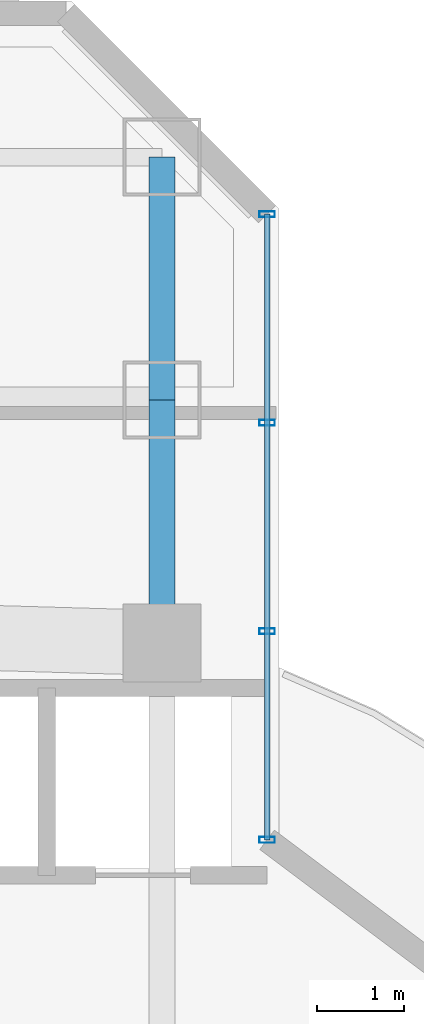
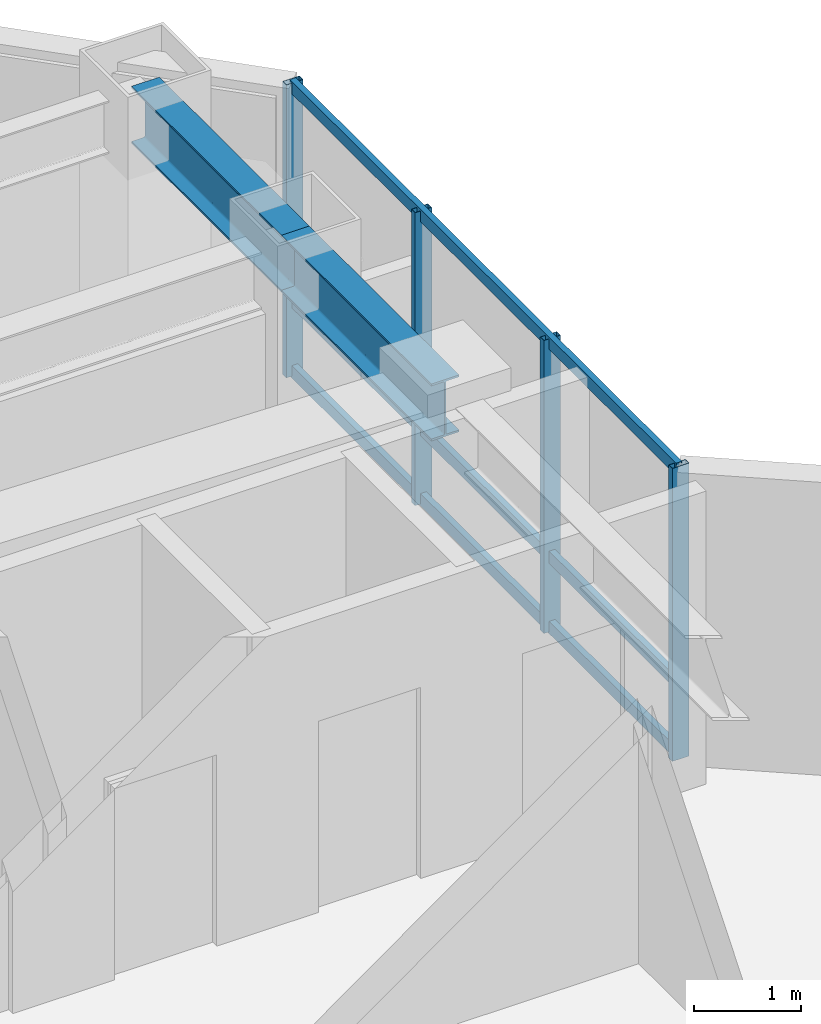
# One storey, part 19 of 29: 7 members, 2 beams, 1 element without a shape of its own.
"""IFC4 building model written with IfcOpenShell, lengths in metres."""

import ifcopenshell
import ifcopenshell.guid

model = None  # the IFC model being written
_history = None  # IfcOwnerHistory: only IFC2X3 demands one
_inside = {}  # id of a spatial element -> (the spatial element, [elements in it])
_under = {}  # id of a project, library or spatial element -> (it, [spatial elements below it])
_declared = {}  # id of a project -> (the project, [libraries it declares])
_typed = {}  # id of a type object -> (the type object, [elements of that type])
_made_of = {}  # id of a material, layer set ... -> (it, [elements and type objects made of it])


def new_model(schema):
    """Start an empty IFC model of exactly this schema.

    Asked for "IFC4X3", IfcOpenShell would pick the latest addendum, in which some entities
    have other attributes; the version numbers below select the first issue.
    IFC2X3 requires an IfcOwnerHistory on every rooted entity: one is made here for all.
    """
    global model, _history
    if schema == "IFC4X3":
        model = ifcopenshell.file(schema_version=(4, 3, 0, 0))
    else:
        model = ifcopenshell.file(schema=schema)
    _inside.clear()
    _under.clear()
    _declared.clear()
    _typed.clear()
    _made_of.clear()
    _history = None
    if model.schema == "IFC2X3":
        org = make("IfcOrganization", Name="unknown")
        user = make(
            "IfcPersonAndOrganization",
            ThePerson=make("IfcPerson", FamilyName="unknown"),
            TheOrganization=org,
        )
        app = make(
            "IfcApplication",
            ApplicationDeveloper=org,
            Version="unknown",
            ApplicationFullName="unknown",
            ApplicationIdentifier="unknown",
        )
        _history = make(
            "IfcOwnerHistory",
            OwningUser=user,
            OwningApplication=app,
            ChangeAction="ADDED",
            CreationDate=0,
        )
    return model


def make(cls, **values):
    """One entity of the class cls with the attributes given. An attribute that is None is left unset."""
    return model.create_entity(
        cls, **{name: value for name, value in values.items() if value is not None}
    )


def rooted(cls, **values):
    """An entity with a GlobalId (a new one), such as an element, a storey or a relation."""
    return make(cls, GlobalId=ifcopenshell.guid.new(), OwnerHistory=_history, **values)


def si_unit(unit_type, name, prefix=None):
    """IfcSIUnit, for example si_unit("LENGTHUNIT", "METRE", prefix="MILLI")."""
    return make("IfcSIUnit", UnitType=unit_type, Prefix=prefix, Name=name)


def assignment(units):
    """IfcUnitAssignment: the units of a project."""
    return None if units is None else make("IfcUnitAssignment", Units=units)


def point(xyz):
    """IfcCartesianPoint."""
    return None if xyz is None else make("IfcCartesianPoint", Coordinates=xyz)


def direction(xyz):
    """IfcDirection."""
    return None if xyz is None else make("IfcDirection", DirectionRatios=xyz)


def frame(location, z_axis=None, x_axis=None):
    """IfcAxis2Placement3D, a coordinate frame: its origin and axes. An axis left out is left unset."""
    return make(
        "IfcAxis2Placement3D",
        Location=point(location),
        Axis=direction(z_axis),
        RefDirection=direction(x_axis),
    )


def frame_2d(location, x_axis=None):
    """IfcAxis2Placement2D, a coordinate frame in the plane: its origin and x axis."""
    return make(
        "IfcAxis2Placement2D", Location=point(location), RefDirection=direction(x_axis)
    )


def origin():
    """The frame at (0, 0, 0) with its axes left unset."""
    return frame((0.0, 0.0, 0.0))


def origin_2d():
    """The frame at (0, 0) in the plane with its x axis left unset."""
    return frame_2d((0.0, 0.0))


def place(relative_to, where):
    """IfcLocalPlacement: puts the frame where relative to a parent placement (None: the world)."""
    return make(
        "IfcLocalPlacement", PlacementRelTo=relative_to, RelativePlacement=where
    )


def context(
    kind, dimensions, precision=None, world=None, true_north=None, identifier=None
):
    """IfcGeometricRepresentationContext, for example the 3D "Model" context."""
    return make(
        "IfcGeometricRepresentationContext",
        ContextIdentifier=identifier,
        ContextType=kind,
        CoordinateSpaceDimension=dimensions,
        Precision=precision,
        WorldCoordinateSystem=world,
        TrueNorth=true_north,
    )


def subcontext(parent, identifier, kind, view, scale=None):
    """IfcGeometricRepresentationSubContext, for example "Body" below "Model"."""
    return make(
        "IfcGeometricRepresentationSubContext",
        ContextIdentifier=identifier,
        ContextType=kind,
        ParentContext=parent,
        TargetScale=scale,
        TargetView=view,
    )


def project(units=None, contexts=None):
    """IfcProject with its units and contexts."""
    return rooted(
        "IfcProject",
        Name="project",
        RepresentationContexts=contexts,
        UnitsInContext=assignment(units),
    )


def spatial(cls, under=None, at=None, **own):
    """A site, building, storey or space (cls), placed at a placement, below another one or the project."""
    s = rooted(cls, ObjectPlacement=at, **own)
    if under is not None:
        _under.setdefault(under.id(), (under, []))[1].append(s)
    return s


def profile(cls, at=None, kind="AREA", **sizes):
    """A parametric profile (cls). Its sizes go by their IFC names, for example OverallWidth=200.0."""
    return make(cls, ProfileType=kind, Position=at, **sizes)


def hollow_rectangle(**sizes):
    """IfcRectangleHollowProfileDef."""
    return profile("IfcRectangleHollowProfileDef", **sizes)


def i_section(**sizes):
    """IfcIShapeProfileDef."""
    return profile("IfcIShapeProfileDef", **sizes)


def extrude(swept, where, along, depth):
    """IfcExtrudedAreaSolid: the profile swept, set in the frame where, extruded along a direction by depth."""
    return make(
        "IfcExtrudedAreaSolid",
        SweptArea=swept,
        Position=where,
        ExtrudedDirection=direction(along),
        Depth=depth,
    )


def shape(context_of_items, identifier, shape_type, items):
    """IfcShapeRepresentation: the items that make up one representation, for example the "Body"."""
    return make(
        "IfcShapeRepresentation",
        ContextOfItems=context_of_items,
        RepresentationIdentifier=identifier,
        RepresentationType=shape_type,
        Items=items,
    )


def material(Name=None, Category=None):
    """IfcMaterial."""
    return make("IfcMaterial", Name=Name, Category=Category)


def layer(
    of_material, thickness, ventilated=None, Name=None, Category=None, Priority=None
):
    """IfcMaterialLayer: one layer of a wall or slab, of a material (None: an air gap)."""
    return make(
        "IfcMaterialLayer",
        Material=of_material,
        LayerThickness=thickness,
        IsVentilated=ventilated,
        Name=Name,
        Category=Category,
        Priority=Priority,
    )


def layer_set(layers, Name=None):
    """IfcMaterialLayerSet."""
    return make("IfcMaterialLayerSet", MaterialLayers=layers, LayerSetName=Name)


def material_profile(
    of_material, cross_section, Name=None, Category=None, Priority=None
):
    """IfcMaterialProfile: a cross section and its material."""
    return make(
        "IfcMaterialProfile",
        Name=Name,
        Material=of_material,
        Profile=cross_section,
        Priority=Priority,
        Category=Category,
    )


def profile_set(profiles, Name=None, composite=None):
    """IfcMaterialProfileSet."""
    return make(
        "IfcMaterialProfileSet",
        Name=Name,
        MaterialProfiles=profiles,
        CompositeProfile=composite,
    )


def made_of(thing, what):
    """Note that an element or type object is made of a material, layer set ...; save() writes the relation."""
    if what is not None:
        _made_of.setdefault(what.id(), (what, []))[1].append(thing)
    return thing


def type_object(cls, material=None, **own):
    """A type object (cls), such as IfcWallType, which elements share."""
    return made_of(rooted(cls, **own), material)


def element(
    cls,
    number,
    at=None,
    inside=None,
    cuts=None,
    type_object=None,
    material=None,
    context=None,
    identifier="Body",
    shape_type=None,
    held_by="IfcProductDefinitionShape",
    body=None,
    shapes=None,
    **own,
):
    """One element of the class cls, such as IfcWall. Its Tag is "e" and its number.

    at: its placement. inside: the storey or other place that contains it. cuts: it is an
    opening in that element (IfcRelVoidsElement). A single representation is given by context,
    identifier, shape_type and body (its items); several are given by shapes. held_by: the class
    of the entity that holds the representations. save() writes the other relations.
    """
    e = rooted(cls, Tag="e%d" % number, ObjectPlacement=at, **own)
    if body is not None:
        shapes = [shape(context, identifier, shape_type, body)]
    if shapes is not None:
        e.Representation = make(held_by, Representations=shapes)
    if inside is not None:
        _inside.setdefault(inside.id(), (inside, []))[1].append(e)
    if cuts is not None:
        rooted(
            "IfcRelVoidsElement", RelatingBuildingElement=cuts, RelatedOpeningElement=e
        )
    if type_object is not None:
        _typed.setdefault(type_object.id(), (type_object, []))[1].append(e)
    return made_of(e, material)


def aggregate(whole, parts):
    """IfcRelAggregates: a whole, such as a stair, and the parts it consists of."""
    return rooted("IfcRelAggregates", RelatingObject=whole, RelatedObjects=parts)


def save(model, path):
    """Write the relations noted so far, then the file.

    IfcRelAggregates (storeys below a building ...), IfcRelContainedInSpatialStructure (elements
    in a storey), IfcRelDefinesByType, IfcRelAssociatesMaterial and IfcRelDeclares: one each for
    every whole, place, type object, material and project.
    """
    for whole, parts in _under.values():
        aggregate(whole, parts)
    for where, things in _inside.values():
        rooted(
            "IfcRelContainedInSpatialStructure",
            RelatedElements=things,
            RelatingStructure=where,
        )
    for kind, things in _typed.values():
        rooted("IfcRelDefinesByType", RelatedObjects=things, RelatingType=kind)
    for what, things in _made_of.values():
        rooted("IfcRelAssociatesMaterial", RelatedObjects=things, RelatingMaterial=what)
    for by, libraries in _declared.values():
        rooted("IfcRelDeclares", RelatingContext=by, RelatedDefinitions=libraries)
    model.write(path)


model = new_model("IFC4")

# Units and contexts
model_context = context("Model", 3, precision=1e-05, world=origin(), true_north=direction((0.0, 1.0)))
body_context = subcontext(model_context, "Body", "Model", "MODEL_VIEW")
ifc_project = project(units=[si_unit("LENGTHUNIT", "METRE"), si_unit("AREAUNIT", "SQUARE_METRE"), si_unit("VOLUMEUNIT", "CUBIC_METRE"), si_unit("PLANEANGLEUNIT", "RADIAN"), si_unit("MASSUNIT", "GRAM", prefix="KILO")], contexts=[model_context])

# Site, building, storey
site_placement = place(None, origin())
site = spatial("IfcSite", under=ifc_project, at=site_placement, CompositionType="ELEMENT")
building_placement = place(site_placement, origin())
building = spatial("IfcBuilding", under=site, at=building_placement, Name="Hatsunagi Terrace Concourse", CompositionType="ELEMENT")
storey_placement = place(building_placement, frame((0.0, 0.0, 126.449951171875)))
storey = spatial("IfcBuildingStorey", under=building, at=storey_placement, Name="L33", CompositionType="ELEMENT", Elevation=126.449951171875)

# Curtain wall, members
ifc_material_1 = material(Name="Anodised Aluminium Alloy 6063-T5", Category="aluminium")
ifc_layer = layer(ifc_material_1, 0.199951171875)
ifc_layer_set = layer_set([ifc_layer], Name="OfficeZone1_CW03")
curtain_wall_type = type_object("IfcCurtainWallType", Name="OfficeZone1_CW03", PredefinedType="NOTDEFINED", material=ifc_layer_set)
curtain_wall_placement = place(storey_placement, origin())
curtain_wall = element("IfcCurtainWall", 1, at=curtain_wall_placement, inside=storey, type_object=curtain_wall_type, Name="Unitised Curtain Wall CW-03 CW-L33-13", PredefinedType="NOTDEFINED")
ifc_material_2 = material(Name="Anodised Aluminium Alloy 6063-T5", Category="aluminium")
ifc_material_profile_1 = material_profile(ifc_material_2, hollow_rectangle(XDim=0.070068359375, YDim=0.179931640625, WallThickness=0.00390625, at=origin_2d()), Name="ALU-MUL-180x70x4")
ifc_profile_set_1 = profile_set([ifc_material_profile_1], Name="Anodised Aluminium Alloy 6063-T5")
member_type_1 = type_object("IfcMemberType", Name="CurtainWallMullion_180x70", PredefinedType="MULLION", material=ifc_profile_set_1)
member_1_placement = place(storey_placement, frame((44.860107421875, 47.94189453125, 0.0), z_axis=(0.0, 0.0, 1.0), x_axis=(0.0, -1.0, 0.0)))
member_1 = element("IfcMember", 2, at=member_1_placement, type_object=member_type_1, Name="Curtain Wall Mullion MUL-02", PredefinedType="MULLION", context=body_context, shape_type="SweptSolid", body=[
    extrude(hollow_rectangle(XDim=0.070068359375, YDim=0.179931640625, WallThickness=0.00390625, at=origin_2d()), origin(), (0.0, 0.0, 1.0), 3.340087890625),
])
member_2_placement = place(storey_placement, frame((44.860107421875, 45.5380859375, 0.0), z_axis=(0.0, 0.0, 1.0), x_axis=(0.0, -1.0, 0.0)))
member_2 = element("IfcMember", 3, at=member_2_placement, type_object=member_type_1, Name="Curtain Wall Mullion MUL-02", PredefinedType="MULLION", context=body_context, shape_type="SweptSolid", body=[
    extrude(hollow_rectangle(XDim=0.070068359375, YDim=0.179931640625, WallThickness=0.00390625, at=origin_2d()), origin(), (0.0, 0.0, 1.0), 3.340087890625),
])
member_3_placement = place(storey_placement, frame((44.860107421875, 43.134033203125, 0.0), z_axis=(0.0, 0.0, 1.0), x_axis=(0.0, -1.0, 0.0)))
member_3 = element("IfcMember", 4, at=member_3_placement, type_object=member_type_1, Name="Curtain Wall Mullion MUL-02", PredefinedType="MULLION", context=body_context, shape_type="SweptSolid", body=[
    extrude(hollow_rectangle(XDim=0.070068359375, YDim=0.179931640625, WallThickness=0.00390625, at=origin_2d()), origin(), (0.0, 0.0, 1.0), 3.340087890625),
])
member_4_placement = place(storey_placement, frame((44.860107421875, 40.72998046875, 0.0), z_axis=(0.0, 0.0, 1.0), x_axis=(0.0, -1.0, 0.0)))
member_4 = element("IfcMember", 5, at=member_4_placement, type_object=member_type_1, Name="Curtain Wall Mullion MUL-02", PredefinedType="MULLION", context=body_context, shape_type="SweptSolid", body=[
    extrude(hollow_rectangle(XDim=0.070068359375, YDim=0.179931640625, WallThickness=0.00390625, at=origin_2d()), origin(), (0.0, 0.0, 1.0), 3.340087890625),
])
ifc_material_3 = material(Name="Anodised Aluminium Alloy 6063-T5", Category="aluminium")
ifc_material_profile_2 = material_profile(ifc_material_3, hollow_rectangle(XDim=0.06494140625, YDim=0.139892578125, WallThickness=0.00390625, at=origin_2d()), Name="ALU-TRN-140x65x4")
ifc_profile_set_2 = profile_set([ifc_material_profile_2], Name="Anodised Aluminium Alloy 6063-T5")
member_type_2 = type_object("IfcMemberType", Name="CurtainWallTransom_140x65", PredefinedType="USERDEFINED", material=ifc_profile_set_2)
member_5_placement = place(storey_placement, frame((44.860107421875, 47.94189453125, 0.050048828125), z_axis=(0.0, -1.0, 0.0), x_axis=(1.0, 0.0, 0.0)))
member_5 = element("IfcMember", 6, at=member_5_placement, type_object=member_type_2, Name="Curtain Wall Transom TRN-02", ObjectType="TRANSOM", PredefinedType="USERDEFINED", context=body_context, shape_type="SweptSolid", body=[
    extrude(hollow_rectangle(XDim=0.06494140625, YDim=0.139892578125, WallThickness=0.00390625, at=origin_2d()), origin(), (0.0, 0.0, 1.0), 7.2119140625),
])
member_6_placement = place(storey_placement, frame((44.860107421875, 47.94189453125, 0.85009765625), z_axis=(0.0, -1.0, 0.0), x_axis=(1.0, 0.0, 0.0)))
member_6 = element("IfcMember", 7, at=member_6_placement, type_object=member_type_2, Name="Curtain Wall Transom TRN-02", ObjectType="TRANSOM", PredefinedType="USERDEFINED", context=body_context, shape_type="SweptSolid", body=[
    extrude(hollow_rectangle(XDim=0.06494140625, YDim=0.139892578125, WallThickness=0.00390625, at=origin_2d()), origin(), (0.0, 0.0, 1.0), 7.2119140625),
])
member_7_placement = place(storey_placement, frame((44.860107421875, 47.94189453125, 3.2900390625), z_axis=(0.0, -1.0, 0.0), x_axis=(1.0, 0.0, 0.0)))
member_7 = element("IfcMember", 8, at=member_7_placement, type_object=member_type_2, Name="Curtain Wall Transom TRN-02", ObjectType="TRANSOM", PredefinedType="USERDEFINED", context=body_context, shape_type="SweptSolid", body=[
    extrude(hollow_rectangle(XDim=0.06494140625, YDim=0.139892578125, WallThickness=0.00390625, at=origin_2d()), origin(), (0.0, 0.0, 1.0), 7.2119140625),
])
aggregate(curtain_wall, [member_1, member_2, member_3, member_4, member_5, member_6, member_7])

# Beams
ifc_material_4 = material(Name="Steel SN490B", Category="steel")
ifc_material_profile_3 = material_profile(ifc_material_4, i_section(OverallWidth=0.300048828125, OverallDepth=0.64990234375, WebThickness=0.012939453125, FlangeThickness=0.02197265625, FilletRadius=0.01806640625, at=origin_2d()), Name="H-650x300x13x22")
ifc_profile_set_3 = profile_set([ifc_material_profile_3], Name="Steel SN490B")
beam_type = type_object("IfcBeamType", Name="OfficeLowGirder_H_650x300", PredefinedType="BEAM", material=ifc_profile_set_3)
for number, where, z_axis, x_axis, name in (
    (9, (43.64990234375, 43.0, 3.025146484375), (0.0, 1.0, 0.0), (-1.0, 0.0, 0.0), "Beam G-05 BM-L33-CN3"),
    (10, (43.64990234375, 45.800048828125, 3.025146484375), (0.0, 1.0, 0.0), (-1.0, 0.0, 0.0), "Beam G-05 BM-L33-KN-WN6"),
):
    element("IfcBeam", number, at=place(storey_placement, frame(where, z_axis=z_axis, x_axis=x_axis)), inside=storey, type_object=beam_type, Name=name, PredefinedType="BEAM", context=body_context, shape_type="SweptSolid", body=[
        extrude(i_section(OverallWidth=0.300048828125, OverallDepth=0.64990234375, WebThickness=0.012939453125, FlangeThickness=0.02197265625, FilletRadius=0.01806640625, at=origin_2d()), origin(), (0.0, 0.0, 1.0), 2.800048828125),
    ])

save(model, "model.ifc")
